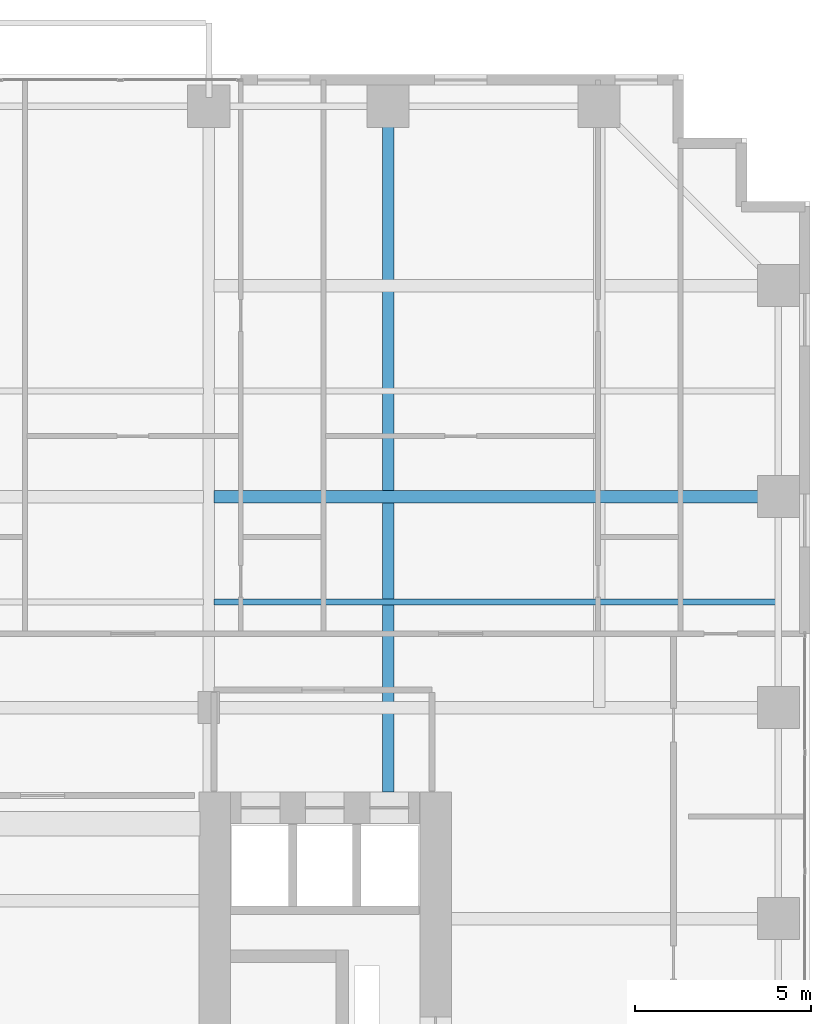
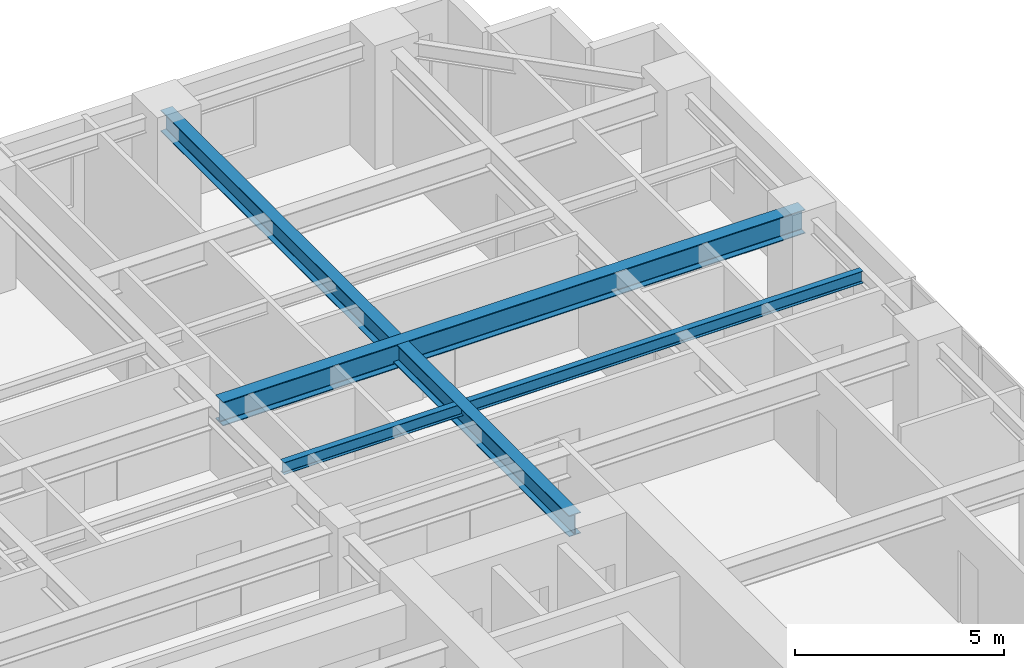
# One storey, part 16 of 24: 3 beams.
"""IFC4 building model written with IfcOpenShell, lengths in metres."""

import ifcopenshell
import ifcopenshell.guid

model = None  # the IFC model being written
_history = None  # IfcOwnerHistory: only IFC2X3 demands one
_inside = {}  # id of a spatial element -> (the spatial element, [elements in it])
_under = {}  # id of a project, library or spatial element -> (it, [spatial elements below it])
_declared = {}  # id of a project -> (the project, [libraries it declares])
_typed = {}  # id of a type object -> (the type object, [elements of that type])
_made_of = {}  # id of a material, layer set ... -> (it, [elements and type objects made of it])


def new_model(schema):
    """Start an empty IFC model of exactly this schema.

    Asked for "IFC4X3", IfcOpenShell would pick the latest addendum, in which some entities
    have other attributes; the version numbers below select the first issue.
    IFC2X3 requires an IfcOwnerHistory on every rooted entity: one is made here for all.
    """
    global model, _history
    if schema == "IFC4X3":
        model = ifcopenshell.file(schema_version=(4, 3, 0, 0))
    else:
        model = ifcopenshell.file(schema=schema)
    _inside.clear()
    _under.clear()
    _declared.clear()
    _typed.clear()
    _made_of.clear()
    _history = None
    if model.schema == "IFC2X3":
        org = make("IfcOrganization", Name="unknown")
        user = make(
            "IfcPersonAndOrganization",
            ThePerson=make("IfcPerson", FamilyName="unknown"),
            TheOrganization=org,
        )
        app = make(
            "IfcApplication",
            ApplicationDeveloper=org,
            Version="unknown",
            ApplicationFullName="unknown",
            ApplicationIdentifier="unknown",
        )
        _history = make(
            "IfcOwnerHistory",
            OwningUser=user,
            OwningApplication=app,
            ChangeAction="ADDED",
            CreationDate=0,
        )
    return model


def make(cls, **values):
    """One entity of the class cls with the attributes given. An attribute that is None is left unset."""
    return model.create_entity(
        cls, **{name: value for name, value in values.items() if value is not None}
    )


def rooted(cls, **values):
    """An entity with a GlobalId (a new one), such as an element, a storey or a relation."""
    return make(cls, GlobalId=ifcopenshell.guid.new(), OwnerHistory=_history, **values)


def si_unit(unit_type, name, prefix=None):
    """IfcSIUnit, for example si_unit("LENGTHUNIT", "METRE", prefix="MILLI")."""
    return make("IfcSIUnit", UnitType=unit_type, Prefix=prefix, Name=name)


def assignment(units):
    """IfcUnitAssignment: the units of a project."""
    return None if units is None else make("IfcUnitAssignment", Units=units)


def point(xyz):
    """IfcCartesianPoint."""
    return None if xyz is None else make("IfcCartesianPoint", Coordinates=xyz)


def direction(xyz):
    """IfcDirection."""
    return None if xyz is None else make("IfcDirection", DirectionRatios=xyz)


def frame(location, z_axis=None, x_axis=None):
    """IfcAxis2Placement3D, a coordinate frame: its origin and axes. An axis left out is left unset."""
    return make(
        "IfcAxis2Placement3D",
        Location=point(location),
        Axis=direction(z_axis),
        RefDirection=direction(x_axis),
    )


def frame_2d(location, x_axis=None):
    """IfcAxis2Placement2D, a coordinate frame in the plane: its origin and x axis."""
    return make(
        "IfcAxis2Placement2D", Location=point(location), RefDirection=direction(x_axis)
    )


def origin():
    """The frame at (0, 0, 0) with its axes left unset."""
    return frame((0.0, 0.0, 0.0))


def origin_2d():
    """The frame at (0, 0) in the plane with its x axis left unset."""
    return frame_2d((0.0, 0.0))


def place(relative_to, where):
    """IfcLocalPlacement: puts the frame where relative to a parent placement (None: the world)."""
    return make(
        "IfcLocalPlacement", PlacementRelTo=relative_to, RelativePlacement=where
    )


def context(
    kind, dimensions, precision=None, world=None, true_north=None, identifier=None
):
    """IfcGeometricRepresentationContext, for example the 3D "Model" context."""
    return make(
        "IfcGeometricRepresentationContext",
        ContextIdentifier=identifier,
        ContextType=kind,
        CoordinateSpaceDimension=dimensions,
        Precision=precision,
        WorldCoordinateSystem=world,
        TrueNorth=true_north,
    )


def subcontext(parent, identifier, kind, view, scale=None):
    """IfcGeometricRepresentationSubContext, for example "Body" below "Model"."""
    return make(
        "IfcGeometricRepresentationSubContext",
        ContextIdentifier=identifier,
        ContextType=kind,
        ParentContext=parent,
        TargetScale=scale,
        TargetView=view,
    )


def project(units=None, contexts=None):
    """IfcProject with its units and contexts."""
    return rooted(
        "IfcProject",
        Name="project",
        RepresentationContexts=contexts,
        UnitsInContext=assignment(units),
    )


def spatial(cls, under=None, at=None, **own):
    """A site, building, storey or space (cls), placed at a placement, below another one or the project."""
    s = rooted(cls, ObjectPlacement=at, **own)
    if under is not None:
        _under.setdefault(under.id(), (under, []))[1].append(s)
    return s


def profile(cls, at=None, kind="AREA", **sizes):
    """A parametric profile (cls). Its sizes go by their IFC names, for example OverallWidth=200.0."""
    return make(cls, ProfileType=kind, Position=at, **sizes)


def i_section(**sizes):
    """IfcIShapeProfileDef."""
    return profile("IfcIShapeProfileDef", **sizes)


def extrude(swept, where, along, depth):
    """IfcExtrudedAreaSolid: the profile swept, set in the frame where, extruded along a direction by depth."""
    return make(
        "IfcExtrudedAreaSolid",
        SweptArea=swept,
        Position=where,
        ExtrudedDirection=direction(along),
        Depth=depth,
    )


def shape(context_of_items, identifier, shape_type, items):
    """IfcShapeRepresentation: the items that make up one representation, for example the "Body"."""
    return make(
        "IfcShapeRepresentation",
        ContextOfItems=context_of_items,
        RepresentationIdentifier=identifier,
        RepresentationType=shape_type,
        Items=items,
    )


def source(mapping_origin, context_of_items, identifier, shape_type, items):
    """IfcRepresentationMap: a shape defined once, which mapped items show again and again."""
    return make(
        "IfcRepresentationMap",
        MappingOrigin=mapping_origin,
        MappedRepresentation=shape(context_of_items, identifier, shape_type, items),
    )


def transform(
    local_origin,
    x_axis=None,
    y_axis=None,
    z_axis=None,
    scale=None,
    scale2=None,
    scale3=None,
    uniform=True,
):
    """IfcCartesianTransformationOperator3D, or its non-uniform kind. x_axis, y_axis, z_axis: its Axis1, 2, 3."""
    if uniform:
        return make(
            "IfcCartesianTransformationOperator3D",
            Axis1=direction(x_axis),
            Axis2=direction(y_axis),
            LocalOrigin=point(local_origin),
            Scale=scale,
            Axis3=direction(z_axis),
        )
    return make(
        "IfcCartesianTransformationOperator3DnonUniform",
        Axis1=direction(x_axis),
        Axis2=direction(y_axis),
        LocalOrigin=point(local_origin),
        Scale=scale,
        Axis3=direction(z_axis),
        Scale2=scale2,
        Scale3=scale3,
    )


def mapped(mapping_source, mapping_target):
    """IfcMappedItem: shows the shape of a source again, moved by a transform."""
    return make(
        "IfcMappedItem", MappingSource=mapping_source, MappingTarget=mapping_target
    )


def material(Name=None, Category=None):
    """IfcMaterial."""
    return make("IfcMaterial", Name=Name, Category=Category)


def material_profile(
    of_material, cross_section, Name=None, Category=None, Priority=None
):
    """IfcMaterialProfile: a cross section and its material."""
    return make(
        "IfcMaterialProfile",
        Name=Name,
        Material=of_material,
        Profile=cross_section,
        Priority=Priority,
        Category=Category,
    )


def profile_set(profiles, Name=None, composite=None):
    """IfcMaterialProfileSet."""
    return make(
        "IfcMaterialProfileSet",
        Name=Name,
        MaterialProfiles=profiles,
        CompositeProfile=composite,
    )


def made_of(thing, what):
    """Note that an element or type object is made of a material, layer set ...; save() writes the relation."""
    if what is not None:
        _made_of.setdefault(what.id(), (what, []))[1].append(thing)
    return thing


def type_object(cls, material=None, **own):
    """A type object (cls), such as IfcWallType, which elements share."""
    return made_of(rooted(cls, **own), material)


def element(
    cls,
    number,
    at=None,
    inside=None,
    cuts=None,
    type_object=None,
    material=None,
    context=None,
    identifier="Body",
    shape_type=None,
    held_by="IfcProductDefinitionShape",
    body=None,
    shapes=None,
    **own,
):
    """One element of the class cls, such as IfcWall. Its Tag is "e" and its number.

    at: its placement. inside: the storey or other place that contains it. cuts: it is an
    opening in that element (IfcRelVoidsElement). A single representation is given by context,
    identifier, shape_type and body (its items); several are given by shapes. held_by: the class
    of the entity that holds the representations. save() writes the other relations.
    """
    e = rooted(cls, Tag="e%d" % number, ObjectPlacement=at, **own)
    if body is not None:
        shapes = [shape(context, identifier, shape_type, body)]
    if shapes is not None:
        e.Representation = make(held_by, Representations=shapes)
    if inside is not None:
        _inside.setdefault(inside.id(), (inside, []))[1].append(e)
    if cuts is not None:
        rooted(
            "IfcRelVoidsElement", RelatingBuildingElement=cuts, RelatedOpeningElement=e
        )
    if type_object is not None:
        _typed.setdefault(type_object.id(), (type_object, []))[1].append(e)
    return made_of(e, material)


def aggregate(whole, parts):
    """IfcRelAggregates: a whole, such as a stair, and the parts it consists of."""
    return rooted("IfcRelAggregates", RelatingObject=whole, RelatedObjects=parts)


def save(model, path):
    """Write the relations noted so far, then the file.

    IfcRelAggregates (storeys below a building ...), IfcRelContainedInSpatialStructure (elements
    in a storey), IfcRelDefinesByType, IfcRelAssociatesMaterial and IfcRelDeclares: one each for
    every whole, place, type object, material and project.
    """
    for whole, parts in _under.values():
        aggregate(whole, parts)
    for where, things in _inside.values():
        rooted(
            "IfcRelContainedInSpatialStructure",
            RelatedElements=things,
            RelatingStructure=where,
        )
    for kind, things in _typed.values():
        rooted("IfcRelDefinesByType", RelatedObjects=things, RelatingType=kind)
    for what, things in _made_of.values():
        rooted("IfcRelAssociatesMaterial", RelatedObjects=things, RelatingMaterial=what)
    for by, libraries in _declared.values():
        rooted("IfcRelDeclares", RelatingContext=by, RelatedDefinitions=libraries)
    model.write(path)


model = new_model("IFC4")

# Units and contexts
model_context = context("Model", 3, precision=1e-05, world=origin(), true_north=direction((0.0, 1.0)))
body_context = subcontext(model_context, "Body", "Model", "MODEL_VIEW")
ifc_project = project(units=[si_unit("LENGTHUNIT", "METRE"), si_unit("AREAUNIT", "SQUARE_METRE"), si_unit("VOLUMEUNIT", "CUBIC_METRE"), si_unit("PLANEANGLEUNIT", "RADIAN"), si_unit("MASSUNIT", "GRAM", prefix="KILO")], contexts=[model_context])

# Site, building, storey
site_placement = place(None, origin())
site = spatial("IfcSite", under=ifc_project, at=site_placement, CompositionType="ELEMENT")
building_placement = place(site_placement, origin())
building = spatial("IfcBuilding", under=site, at=building_placement, Name="Khoralis Quay Care Tower", CompositionType="ELEMENT")
storey_placement = place(building_placement, frame((0.0, 0.0, 54.89990234375)))
storey = spatial("IfcBuildingStorey", under=building, at=storey_placement, Name="L14", CompositionType="ELEMENT", Elevation=54.89990234375)

# Beams
ifc_material = material(Name="Steel S355", Category="steel")
ifc_material_profile_1 = material_profile(ifc_material, i_section(OverallWidth=0.35498046875, OverallDepth=0.695068359375, WebThickness=0.015380859375, FlangeThickness=0.02490234375, FilletRadius=0.02001953125, at=origin_2d()), Name="Steel S355")
ifc_profile_set_1 = profile_set([ifc_material_profile_1], Name="Steel S355")
beam_type_1 = type_object("IfcBeamType", Name="BM-W690X217", PredefinedType="BEAM", material=ifc_profile_set_1)
shared_shape_1 = source(origin(), body_context, "Body", "SweptSolid", [
    extrude(i_section(OverallWidth=0.35498046875, OverallDepth=0.695068359375, WebThickness=0.015380859375, FlangeThickness=0.02490234375, FilletRadius=0.02001953125, at=origin_2d()), origin(), (0.0, 0.0, 1.0), 16.049560546875),
])
beam_1_placement = place(storey_placement, frame((31.050537109375, 36.0, 2.97265625), z_axis=(1.0, 0.0, 0.0), x_axis=(0.0, 1.0, 0.0)))
element("IfcBeam", 1, at=beam_1_placement, inside=storey, type_object=beam_type_1, Name="BM-TGXE-L14-360", PredefinedType="BEAM", context=body_context, shape_type="MappedRepresentation", body=[
    mapped(shared_shape_1, transform((0.0, 0.0, 0.0), scale=1.0)),
])
ifc_material_profile_2 = material_profile(ifc_material, i_section(OverallWidth=0.324951171875, OverallDepth=0.615966796875, WebThickness=0.013916015625, FlangeThickness=0.021484375, FilletRadius=0.01806640625, at=origin_2d()), Name="Steel S355")
ifc_profile_set_2 = profile_set([ifc_material_profile_2], Name="Steel S355")
beam_type_2 = type_object("IfcBeamType", Name="BM-W610X174", PredefinedType="BEAM", material=ifc_profile_set_2)
shared_shape_2 = source(origin(), body_context, "Body", "SweptSolid", [
    extrude(i_section(OverallWidth=0.324951171875, OverallDepth=0.615966796875, WebThickness=0.013916015625, FlangeThickness=0.021484375, FilletRadius=0.01806640625, at=origin_2d()), origin(), (0.0, 0.0, 1.0), 19.502197265625),
])
beam_2_placement = place(storey_placement, frame((36.0, 27.597900390625, 3.01220703125), z_axis=(0.0, 1.0, 0.0), x_axis=(-1.0, 0.0, 0.0)))
element("IfcBeam", 2, at=beam_2_placement, inside=storey, type_object=beam_type_2, Name="BM-TGYN-L14-360", PredefinedType="BEAM", context=body_context, shape_type="MappedRepresentation", body=[
    mapped(shared_shape_2, transform((0.0, 0.0, 0.0), scale=1.0)),
])
ifc_material_profile_3 = material_profile(ifc_material, i_section(OverallWidth=0.1708984375, OverallDepth=0.35498046875, WebThickness=0.007080078125, FlangeThickness=0.01171875, FilletRadius=0.012939453125, at=origin_2d()), Name="Steel S355")
ifc_profile_set_3 = profile_set([ifc_material_profile_3], Name="Steel S355")
beam_type_3 = type_object("IfcBeamType", Name="BM-W360X51", PredefinedType="JOIST", material=ifc_profile_set_3)
shared_shape_3 = source(origin(), body_context, "Body", "SweptSolid", [
    extrude(i_section(OverallWidth=0.1708984375, OverallDepth=0.35498046875, WebThickness=0.007080078125, FlangeThickness=0.01171875, FilletRadius=0.012939453125, at=origin_2d()), origin(), (0.0, 0.0, 1.0), 15.968505859375),
])
beam_3_placement = place(storey_placement, frame((31.050537109375, 33.0, 3.142578125), z_axis=(1.0, 0.0, 0.0), x_axis=(0.0, 1.0, 0.0)))
element("IfcBeam", 3, at=beam_3_placement, inside=storey, type_object=beam_type_3, Name="BM-TJS-L14-33", PredefinedType="JOIST", context=body_context, shape_type="MappedRepresentation", body=[
    mapped(shared_shape_3, transform((0.0, 0.0, 0.0), scale=1.0)),
])

save(model, "model.ifc")
